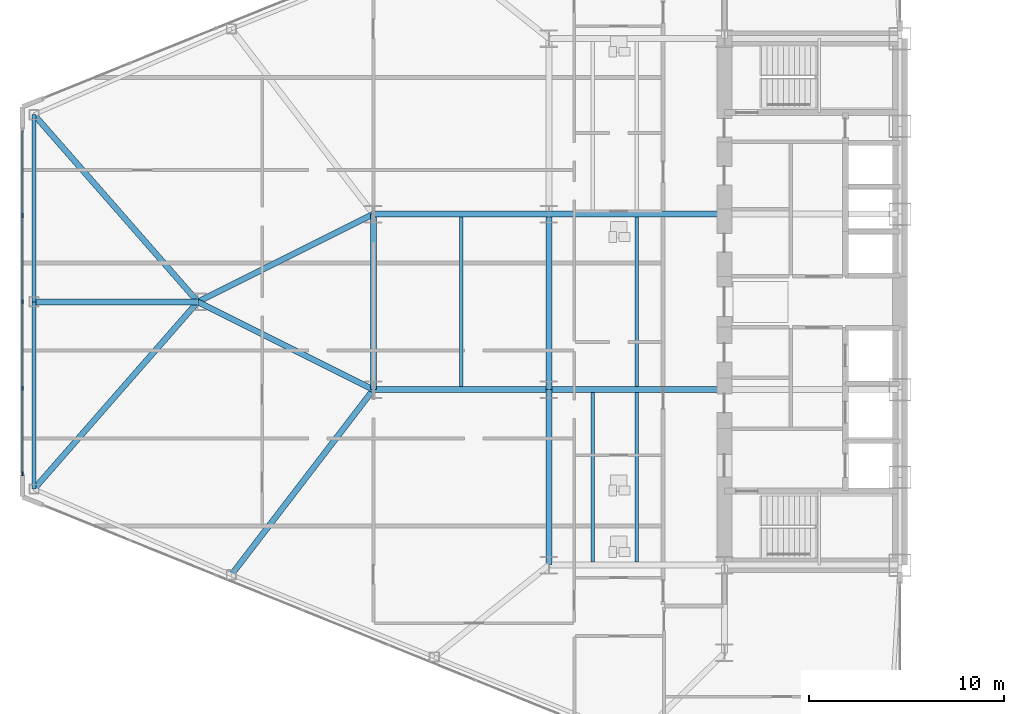
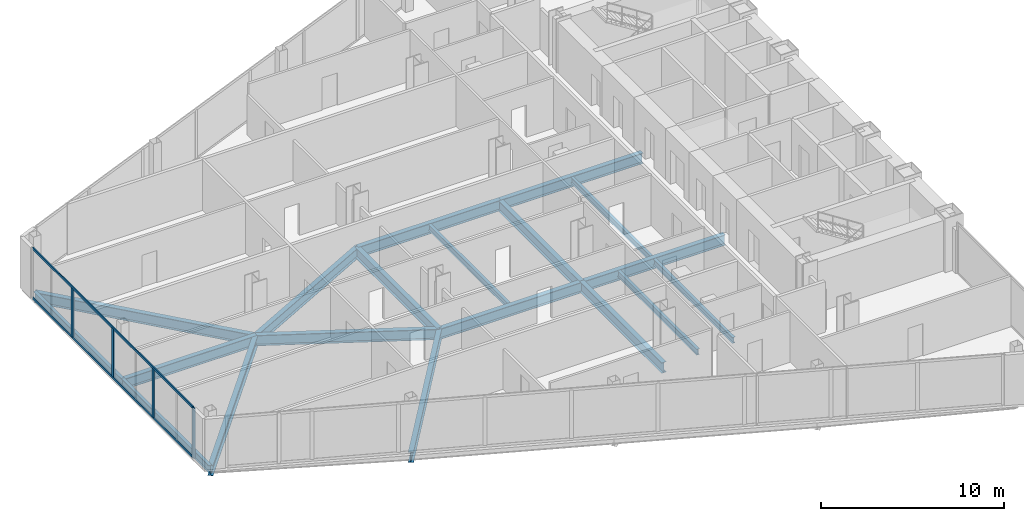
# One storey, part 4 of 25: 19 beams, 6 members, 1 element without a shape of its own.
"""IFC4 building model written with IfcOpenShell, lengths in metres."""

from ifc_helpers import new_model, si_unit, direction, frame, origin, origin_2d, place, context, subcontext, project, spatial, rectangle, i_section, extrude, source, transform, mapped, material, layer, layer_set, material_profile, profile_set, type_object, type_shapes, element, aggregate, save


model = new_model("IFC4")

# Units and contexts
model_context = context("Model", 3, precision=1e-05, world=origin(), true_north=direction((0.0, 1.0)))
body_context = subcontext(model_context, "Body", "Model", "MODEL_VIEW")
ifc_project = project(units=[si_unit("LENGTHUNIT", "METRE"), si_unit("AREAUNIT", "SQUARE_METRE"), si_unit("VOLUMEUNIT", "CUBIC_METRE"), si_unit("PLANEANGLEUNIT", "RADIAN"), si_unit("MASSUNIT", "GRAM", prefix="KILO")], contexts=[model_context])

# Site, building, storey
site_placement = place(None, origin())
site = spatial("IfcSite", under=ifc_project, at=site_placement, CompositionType="ELEMENT")
building_placement = place(site_placement, origin())
building = spatial("IfcBuilding", under=site, at=building_placement, Name="Seokmaru Belvedere", CompositionType="ELEMENT")
storey_placement = place(building_placement, frame((0.0, 0.0, 29.699951171875)))
storey = spatial("IfcBuildingStorey", under=building, at=storey_placement, Name="L07", CompositionType="ELEMENT", Elevation=29.699951171875)

# Beams
ifc_material_1 = material(Name="Steel SM355 (355 MPa)", Category="steel")
ifc_material_profile_1 = material_profile(ifc_material_1, i_section(OverallWidth=0.300048828125, OverallDepth=0.699951171875, WebThickness=0.012939453125, FlangeThickness=0.02392578125, at=origin_2d()), Name="H-700x300x13x24")
ifc_profile_set_1 = profile_set([ifc_material_profile_1], Name="Steel SM355 (355 MPa)")
beam_type_1 = type_object("IfcBeamType", Name="Primary Floor Girder H-700", PredefinedType="BEAM", material=ifc_profile_set_1)
shared_shape_1 = source(origin(), body_context, "Body", "SweptSolid", [
    extrude(i_section(OverallWidth=0.300048828125, OverallDepth=0.699951171875, WebThickness=0.012939453125, FlangeThickness=0.02392578125, at=origin_2d()), origin(), (0.0, 0.0, 1.0), 9.0),
])
for number, where, z_axis, x_axis, name in (
    (1, (-45.5, -13.5, -0.570068359375), (0.0, 1.0, 0.0), (-1.0, 0.0, 0.0), "L07 W Interior Grid Girder 1"),
    (2, (-45.5, -4.5, -0.570068359375), (0.0, 1.0, 0.0), (-1.0, 0.0, 0.0), "L07 W Interior Grid Girder 2"),
    (3, (-45.5, -4.5, -0.570068359375), (1.0, 0.0, 0.0), (0.0, 1.0, 0.0), "L07 W Wing Primary Girder 2"),
    (4, (-45.5, 4.5, -0.570068359375), (1.0, 0.0, 0.0), (0.0, 1.0, 0.0), "L07 W Wing Primary Girder 3"),
    (5, (-54.5, -4.5, -0.570068359375), (1.0, 0.0, 0.0), (0.0, 1.0, 0.0), "L07 W Outer Wing Girder 1"),
    (6, (-54.5, 4.5, -0.570068359375), (1.0, 0.0, 0.0), (0.0, 1.0, 0.0), "L07 W Outer Wing Girder 2"),
    (7, (-54.5, -4.5, -0.570068359375), (0.0, 1.0, 0.0), (-1.0, 0.0, 0.0), "L07 W Apex Frame Girder"),
):
    element("IfcBeam", number, at=place(storey_placement, frame(where, z_axis=z_axis, x_axis=x_axis)), inside=storey, type_object=beam_type_1, Name=name, PredefinedType="BEAM", context=body_context, shape_type="MappedRepresentation", body=[
        mapped(shared_shape_1, transform((0.0, 0.0, 0.0), scale=1.0)),
    ])
shared_shape_2 = source(origin(), body_context, "Body", "SweptSolid", [
    extrude(i_section(OverallWidth=0.300048828125, OverallDepth=0.699951171875, WebThickness=0.012939453125, FlangeThickness=0.02392578125, at=origin_2d()), origin(), (0.0, 0.0, 1.0), 10.062255859375),
])
for number, where, z_axis, x_axis, name in (
    (8, (-54.5, -4.5, -0.570068359375), (-0.894427191, 0.4472135955, 0.0), (-0.4472135955, -0.894427191, 0.0), "L07 W Apex Converging Girder 1"),
    (9, (-54.5, 4.5, -0.570068359375), (-0.894427191, -0.4472135955, 0.0), (0.4472135955, -0.894427191, 0.0), "L07 W Apex Converging Girder 2"),
):
    element("IfcBeam", number, at=place(storey_placement, frame(where, z_axis=z_axis, x_axis=x_axis)), inside=storey, type_object=beam_type_1, Name=name, PredefinedType="BEAM", context=body_context, shape_type="MappedRepresentation", body=[
        mapped(shared_shape_2, transform((0.0, 0.0, 0.0), scale=1.0)),
    ])
ifc_material_profile_2 = material_profile(ifc_material_1, i_section(OverallWidth=0.18505859375, OverallDepth=0.389892578125, WebThickness=0.008056640625, FlangeThickness=0.011962890625, at=origin_2d()), Name="H-390x185x8x12")
ifc_profile_set_2 = profile_set([ifc_material_profile_2], Name="Steel SM355 (355 MPa)")
beam_type_2 = type_object("IfcBeamType", Name="Secondary Floor Joist H-350", PredefinedType="JOIST", material=ifc_profile_set_2)
shared_shape_3 = source(origin(), body_context, "Body", "SweptSolid", [
    extrude(i_section(OverallWidth=0.18505859375, OverallDepth=0.389892578125, WebThickness=0.008056640625, FlangeThickness=0.011962890625, at=origin_2d()), origin(), (0.0, 0.0, 1.0), 8.68994140625),
])
type_shapes(beam_type_2, [shared_shape_3])
for number, where, z_axis, x_axis, name in (
    (10, (-43.25, -13.344970703125, -0.4150390625), (0.0, 1.0, 0.0), (-1.0, 0.0, 0.0), "L07 W Wing Inner Secondary Joist 1"),
    (11, (-41.0, -13.344970703125, -0.4150390625), (0.0, 1.0, 0.0), (-1.0, 0.0, 0.0), "L07 W Secondary Floor Joist 1"),
    (12, (-41.0, -4.344970703125, -0.4150390625), (0.0, 1.0, 0.0), (-1.0, 0.0, 0.0), "L07 W Secondary Floor Joist 2"),
    (13, (-50.0, -4.344970703125, -0.4150390625), (0.0, 1.0, 0.0), (-1.0, 0.0, 0.0), "L07 W Outer Bay Secondary Joist"),
):
    element("IfcBeam", number, at=place(storey_placement, frame(where, z_axis=z_axis, x_axis=x_axis)), inside=storey, type_object=beam_type_2, Name=name, PredefinedType="JOIST", context=body_context, shape_type="MappedRepresentation", body=[
        mapped(shared_shape_3, transform((0.0, 0.0, 0.0), scale=1.0)),
    ])
shared_shape_4 = source(origin(), body_context, "Body", "SweptSolid", [
    extrude(i_section(OverallWidth=0.300048828125, OverallDepth=0.699951171875, WebThickness=0.012939453125, FlangeThickness=0.02392578125, at=origin_2d()), origin(), (0.0, 0.0, 1.0), 12.7529296875),
])
for number, where, z_axis, x_axis, name in (
    (14, (-71.89990234375, -9.595703125, -0.570068359375), (0.658667231479, 0.752434368019, 0.0), (-0.752434368019, 0.658667231479, 0.0), "L07 W Apex Radial Floor Girder 1"),
    (15, (-71.89990234375, 9.595703125, -0.570068359375), (0.658667231479, -0.752434368019, 0.0), (0.752434368019, 0.658667231479, 0.0), "L07 W Apex Radial Floor Girder 2"),
):
    element("IfcBeam", number, at=place(storey_placement, frame(where, z_axis=z_axis, x_axis=x_axis)), inside=storey, type_object=beam_type_1, Name=name, PredefinedType="BEAM", context=body_context, shape_type="MappedRepresentation", body=[
        mapped(shared_shape_4, transform((0.0, 0.0, 0.0), scale=1.0)),
    ])
ifc_material_profile_3 = material_profile(ifc_material_1, i_section(OverallWidth=0.199951171875, OverallDepth=0.5, WebThickness=0.010009765625, FlangeThickness=0.01611328125, at=origin_2d()), Name="H-500x200x10x16")
ifc_profile_set_3 = profile_set([ifc_material_profile_3], Name="Steel SM355 (355 MPa)")
beam_type_3 = type_object("IfcBeamType", Name="Perimeter Spandrel Beam H-500", PredefinedType="SPANDREL", material=ifc_profile_set_3)
shared_shape_5 = source(origin(), body_context, "Body", "SweptSolid", [
    extrude(i_section(OverallWidth=0.199951171875, OverallDepth=0.5, WebThickness=0.010009765625, FlangeThickness=0.01611328125, at=origin_2d()), origin(), (0.0, 0.0, 1.0), 9.595703125),
])
type_shapes(beam_type_3, [shared_shape_5])
for number, where, z_axis, x_axis, name in (
    (16, (-71.89990234375, -9.595703125, -0.469970703125), (0.0, 1.0, 0.0), (-1.0, 0.0, 0.0), "L07 W Faceted Apex Spandrel S"),
    (17, (-71.89990234375, 0.0, -0.469970703125), (0.0, 1.0, 0.0), (-1.0, 0.0, 0.0), "L07 W Faceted Apex Spandrel N"),
):
    element("IfcBeam", number, at=place(storey_placement, frame(where, z_axis=z_axis, x_axis=x_axis)), inside=storey, type_object=beam_type_3, Name=name, PredefinedType="SPANDREL", context=body_context, shape_type="MappedRepresentation", body=[
        mapped(shared_shape_5, transform((0.0, 0.0, 0.0), scale=1.0)),
    ])
shared_shape_6 = source(origin(), body_context, "Body", "SweptSolid", [
    extrude(i_section(OverallWidth=0.300048828125, OverallDepth=0.699951171875, WebThickness=0.012939453125, FlangeThickness=0.02392578125, at=origin_2d()), origin(), (0.0, 0.0, 1.0), 11.96337890625),
])
beam_1_placement = place(storey_placement, frame((-61.779052734375, -13.994140625, -0.570068359375), z_axis=(0.608442682624, 0.793597821294, 0.0), x_axis=(-0.793597821294, 0.608442682624, 0.0)))
element("IfcBeam", 18, at=beam_1_placement, inside=storey, type_object=beam_type_1, Name="L07 W Flank Radial Floor Girder S-3", PredefinedType="BEAM", context=body_context, shape_type="MappedRepresentation", body=[
    mapped(shared_shape_6, transform((0.0, 0.0, 0.0), scale=1.0)),
])
shared_shape_7 = source(origin(), body_context, "Body", "SweptSolid", [
    extrude(i_section(OverallWidth=0.300048828125, OverallDepth=0.699951171875, WebThickness=0.012939453125, FlangeThickness=0.02392578125, at=origin_2d()), origin(), (0.0, 0.0, 1.0), 8.39990234375),
])
type_shapes(beam_type_1, [shared_shape_1, shared_shape_2, shared_shape_4, shared_shape_6, shared_shape_7])
beam_2_placement = place(storey_placement, frame((-71.89990234375, 0.0, -0.570068359375), z_axis=(1.0, 0.0, 0.0), x_axis=(0.0, 1.0, 0.0)))
element("IfcBeam", 19, at=beam_2_placement, inside=storey, type_object=beam_type_1, Name="L07 W Apex Center Radial Girder", PredefinedType="BEAM", context=body_context, shape_type="MappedRepresentation", body=[
    mapped(shared_shape_7, transform((0.0, 0.0, 0.0), scale=1.0)),
])

# Curtain wall, members
ifc_material_2 = material(Name="Bronze Triple Insulating Glass", Category="glass")
ifc_layer = layer(ifc_material_2, 0.2099609375)
ifc_layer_set = layer_set([ifc_layer], Name="Bronze Triple Insulating Glass")
curtain_wall_type = type_object("IfcCurtainWallType", Name="Low-Rise Faceted Crystal Curtain Wall System CW-2", PredefinedType="NOTDEFINED", material=ifc_layer_set)
curtain_wall_placement = place(storey_placement, origin())
curtain_wall = element("IfcCurtainWall", 20, at=curtain_wall_placement, inside=storey, type_object=curtain_wall_type, Name="L07 Curtain Wall WF4", PredefinedType="NOTDEFINED")
ifc_material_3 = material(Name="Anodised Bronze Aluminium", Category="aluminium")
ifc_material_profile_4 = material_profile(ifc_material_3, rectangle(XDim=0.074951171875, YDim=0.2099609375, at=origin_2d()), Name="CW-M-75x210")
ifc_profile_set_4 = profile_set([ifc_material_profile_4], Name="Anodised Bronze Aluminium")
member_type_1 = type_object("IfcMemberType", Name="Bronze Unitised Mullion 75x210", PredefinedType="MULLION", material=ifc_profile_set_4)
shared_shape_8 = source(origin(), body_context, "Body", "SweptSolid", [
    extrude(rectangle(XDim=0.074951171875, YDim=0.2099609375, at=origin_2d()), origin(), (0.0, 0.0, 1.0), 3.380126953125),
])
member_1_placement = place(storey_placement, frame((-72.5, -8.8125, 0.0), z_axis=(0.0, 0.0, 1.0), x_axis=(1.0, 0.0, 0.0)))
member_1 = element("IfcMember", 21, at=member_1_placement, type_object=member_type_1, Name="CW:L07:WF4 Mullion 5", PredefinedType="MULLION", context=body_context, shape_type="MappedRepresentation", body=[
    mapped(shared_shape_8, transform((0.0, 0.0, 0.0), scale=1.0)),
])
shared_shape_9 = source(origin(), body_context, "Body", "SweptSolid", [
    extrude(rectangle(XDim=0.074951171875, YDim=0.2099609375, at=origin_2d()), origin(), (0.0, 0.0, 1.0), 3.239990234375),
])
type_shapes(member_type_1, [shared_shape_8, shared_shape_9])
member_2_placement = place(storey_placement, frame((-72.5, 4.425048828125, 0.070068359375), z_axis=(0.0, 0.0, 1.0), x_axis=(1.0, 0.0, 0.0)))
member_2 = element("IfcMember", 22, at=member_2_placement, type_object=member_type_1, Name="CW:L07:WF4 Mullion 2", PredefinedType="MULLION", context=body_context, shape_type="MappedRepresentation", body=[
    mapped(shared_shape_9, transform((0.0, 0.0, 0.0), scale=1.0)),
])
member_3_placement = place(storey_placement, frame((-72.5, 0.0, 0.070068359375), z_axis=(0.0, 0.0, 1.0), x_axis=(1.0, 0.0, 0.0)))
member_3 = element("IfcMember", 23, at=member_3_placement, type_object=member_type_1, Name="CW:L07:WF4 Mullion 3", PredefinedType="MULLION", context=body_context, shape_type="MappedRepresentation", body=[
    mapped(shared_shape_9, transform((0.0, 0.0, 0.0), scale=1.0)),
])
member_4_placement = place(storey_placement, frame((-72.5, -4.425048828125, 0.070068359375), z_axis=(0.0, 0.0, 1.0), x_axis=(1.0, 0.0, 0.0)))
member_4 = element("IfcMember", 24, at=member_4_placement, type_object=member_type_1, Name="CW:L07:WF4 Mullion 4", PredefinedType="MULLION", context=body_context, shape_type="MappedRepresentation", body=[
    mapped(shared_shape_9, transform((0.0, 0.0, 0.0), scale=1.0)),
])
ifc_material_profile_5 = material_profile(ifc_material_3, rectangle(XDim=0.070068359375, YDim=0.1650390625, at=origin_2d()), Name="CW-T-70x165")
ifc_profile_set_5 = profile_set([ifc_material_profile_5], Name="Anodised Bronze Aluminium")
member_type_2 = type_object("IfcMemberType", Name="Bronze Unitised Transom 70x165", PredefinedType="USERDEFINED", material=ifc_profile_set_5)
shared_shape_10 = source(origin(), body_context, "Body", "SweptSolid", [
    extrude(rectangle(XDim=0.070068359375, YDim=0.1650390625, at=origin_2d()), origin(), (0.0, 0.0, 1.0), 17.5498046875),
])
type_shapes(member_type_2, [shared_shape_10])
member_5_placement = place(storey_placement, frame((-72.5, 8.77490234375, 0.03515625), z_axis=(0.0, -1.0, 0.0), x_axis=(1.0, 0.0, 0.0)))
member_5 = element("IfcMember", 25, at=member_5_placement, type_object=member_type_2, Name="CW:L07:WF4 Continuous Transom 1", ObjectType="TRANSOM", PredefinedType="USERDEFINED", context=body_context, shape_type="MappedRepresentation", body=[
    mapped(shared_shape_10, transform((0.0, 0.0, 0.0), scale=1.0)),
])
member_6_placement = place(storey_placement, frame((-72.5, 8.77490234375, 3.344970703125), z_axis=(0.0, -1.0, 0.0), x_axis=(1.0, 0.0, 0.0)))
member_6 = element("IfcMember", 26, at=member_6_placement, type_object=member_type_2, Name="CW:L07:WF4 Continuous Transom 2", ObjectType="TRANSOM", PredefinedType="USERDEFINED", context=body_context, shape_type="MappedRepresentation", body=[
    mapped(shared_shape_10, transform((0.0, 0.0, 0.0), scale=1.0)),
])
aggregate(curtain_wall, [member_2, member_3, member_4, member_1, member_5, member_6])

save(model, "model.ifc")
